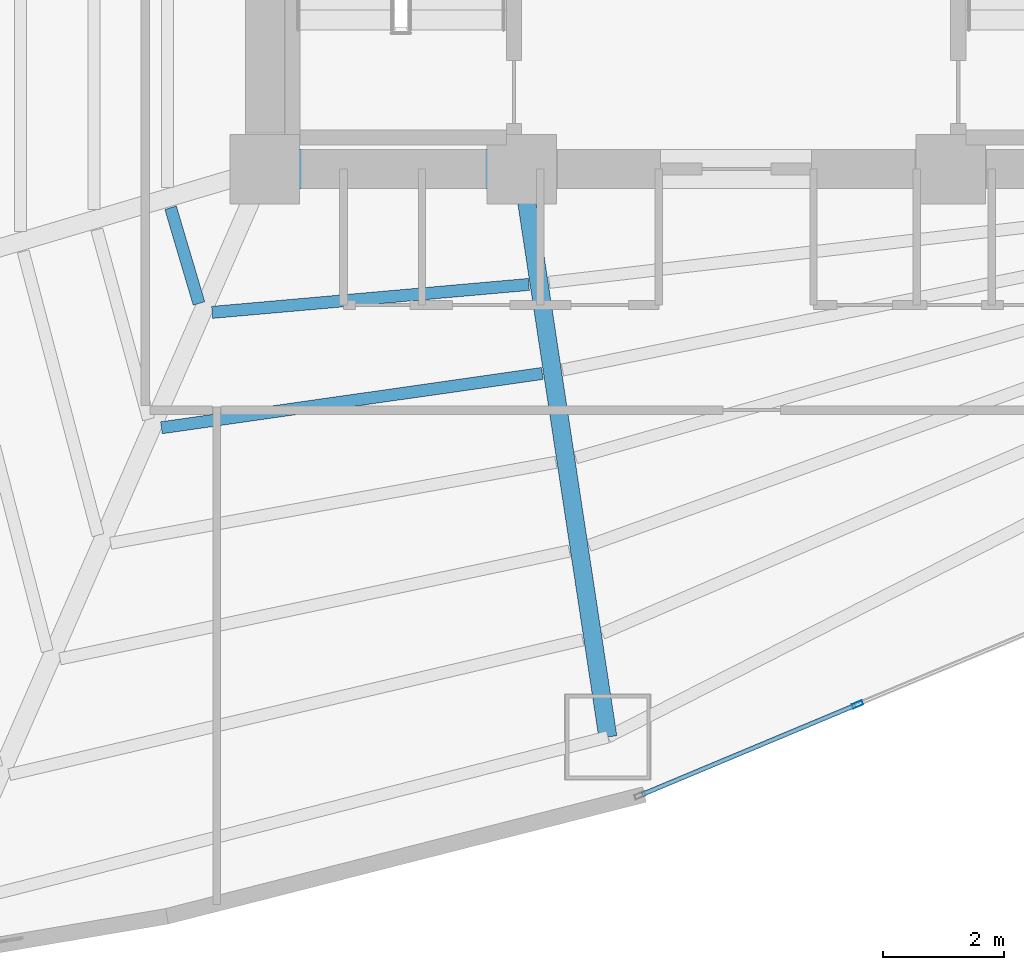
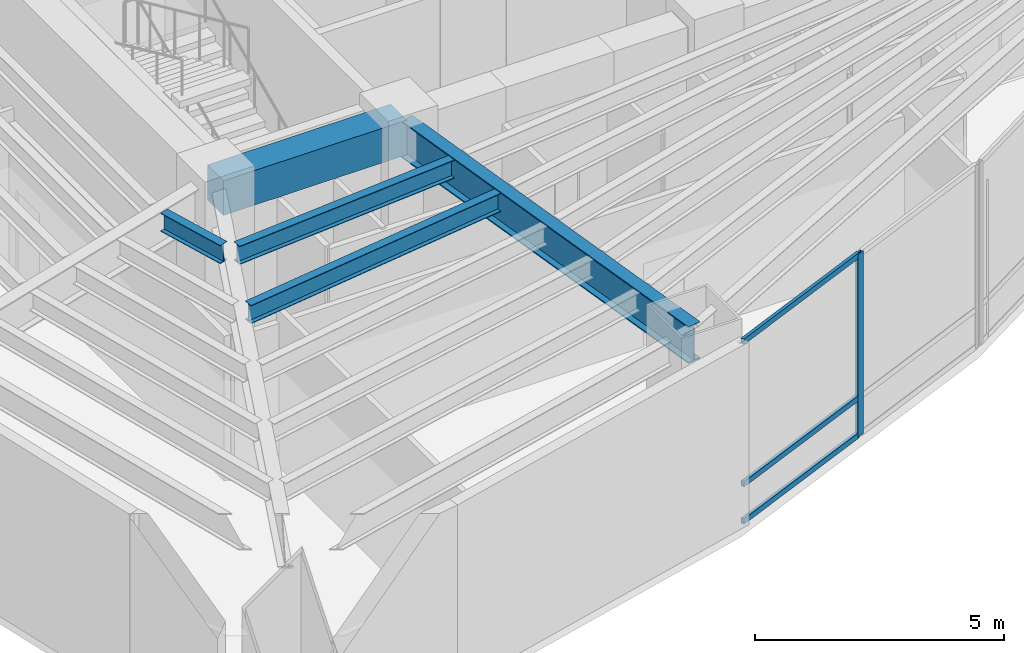
# One storey, part 4 of 18: 5 beams, 4 members, 1 element without a shape of its own.
"""IFC4 building model written with IfcOpenShell, lengths in metres."""

from ifc_helpers import new_model, si_unit, direction, frame, origin, origin_2d, place, context, subcontext, project, spatial, rectangle, hollow_rectangle, i_section, extrude, material, layer, layer_set, material_profile, profile_set, type_object, element, aggregate, save


model = new_model("IFC4")

# Units and contexts
model_context = context("Model", 3, precision=1e-05, world=origin(), true_north=direction((0.0, 1.0)))
body_context = subcontext(model_context, "Body", "Model", "MODEL_VIEW")
ifc_project = project(units=[si_unit("LENGTHUNIT", "METRE"), si_unit("AREAUNIT", "SQUARE_METRE"), si_unit("VOLUMEUNIT", "CUBIC_METRE"), si_unit("PLANEANGLEUNIT", "RADIAN"), si_unit("MASSUNIT", "GRAM", prefix="KILO")], contexts=[model_context])

# Site, building, storey
site_placement = place(None, origin())
site = spatial("IfcSite", under=ifc_project, at=site_placement, CompositionType="ELEMENT")
building_placement = place(site_placement, origin())
building = spatial("IfcBuilding", under=site, at=building_placement, Name="Menara Vayukalpa", CompositionType="ELEMENT")
storey_placement = place(building_placement, frame((0.0, 0.0, 7.199951171875)))
storey = spatial("IfcBuildingStorey", under=building, at=storey_placement, Name="L01", CompositionType="ELEMENT", Elevation=7.199951171875)

# Beams
ifc_material_1 = material(Name="Concrete C60/75", Category="concrete")
ifc_material_profile_1 = material_profile(ifc_material_1, rectangle(XDim=0.64990234375, YDim=0.85009765625, at=origin_2d()), Name="RC 650x850")
ifc_profile_set_1 = profile_set([ifc_material_profile_1], Name="Concrete C60/75")
beam_type_1 = type_object("IfcBeamType", Name="BM-CB1", PredefinedType="BEAM", material=ifc_profile_set_1)
beam_1_placement = place(storey_placement, frame((17.800048828125, 17.199951171875, 4.054931640625), z_axis=(1.0, 0.0, 0.0), x_axis=(0.0, 1.0, 0.0)))
element("IfcBeam", 1, at=beam_1_placement, inside=storey, type_object=beam_type_1, Name="L01 Core Tie Beam CBR1", PredefinedType="BEAM", context=body_context, shape_type="SweptSolid", body=[
    extrude(rectangle(XDim=0.64990234375, YDim=0.85009765625, at=origin_2d()), origin(), (0.0, 0.0, 1.0), 4.25),
])
ifc_material_2 = material(Name="Steel S355", Category="steel")
ifc_material_profile_2 = material_profile(ifc_material_2, i_section(OverallWidth=0.300048828125, OverallDepth=0.89990234375, WebThickness=0.01611328125, FlangeThickness=0.028076171875, at=origin_2d()), Name="WF 900x300x16x28")
ifc_profile_set_2 = profile_set([ifc_material_profile_2], Name="Steel S355")
beam_type_2 = type_object("IfcBeamType", Name="BM-PG1", PredefinedType="BEAM", material=ifc_profile_set_2)
beam_2_placement = place(storey_placement, frame((22.08740234375, 16.952880859375, 4.030029296875), z_axis=(0.149956157605, -0.988692647285, 0.0), x_axis=(0.988692647285, 0.149956157605, 0.0)))
element("IfcBeam", 2, at=beam_2_placement, inside=storey, type_object=beam_type_2, Name="L01 Primary Radial Girder RG08", PredefinedType="BEAM", context=body_context, shape_type="SweptSolid", body=[
    extrude(i_section(OverallWidth=0.300048828125, OverallDepth=0.89990234375, WebThickness=0.01611328125, FlangeThickness=0.028076171875, at=origin_2d()), origin(), (0.0, 0.0, 1.0), 9.25732421875),
])
ifc_material_3 = material(Name="Steel S355", Category="steel")
ifc_material_profile_3 = material_profile(ifc_material_3, i_section(OverallWidth=0.199951171875, OverallDepth=0.449951171875, WebThickness=0.009033203125, FlangeThickness=0.013916015625, at=origin_2d()), Name="WF 450x200x9x14")
ifc_profile_set_3 = profile_set([ifc_material_profile_3], Name="Steel S355")
beam_type_3 = type_object("IfcBeamType", Name="BM-SJ1", PredefinedType="JOIST", material=ifc_profile_set_3)
beam_3_placement = place(storey_placement, frame((16.239013671875, 16.5595703125, 4.255126953125), z_axis=(0.284173863657, -0.958772765161, 0.0), x_axis=(0.958772765161, 0.284173863657, 0.0)))
element("IfcBeam", 3, at=beam_3_placement, inside=storey, type_object=beam_type_3, Name="L01 Secondary Floor Joist SJ06-1", PredefinedType="JOIST", context=body_context, shape_type="SweptSolid", body=[
    extrude(i_section(OverallWidth=0.199951171875, OverallDepth=0.449951171875, WebThickness=0.009033203125, FlangeThickness=0.013916015625, at=origin_2d()), origin(), (0.0, 0.0, 1.0), 1.652099609375),
])
beam_4_placement = place(storey_placement, frame((16.926025390625, 14.82763671875, 4.255126953125), z_axis=(0.996127818773, 0.08791682812, 0.0), x_axis=(-0.08791682812, 0.996127818773, 0.0)))
element("IfcBeam", 4, at=beam_4_placement, inside=storey, type_object=beam_type_3, Name="L01 Secondary Floor Joist SJ07-1", PredefinedType="JOIST", context=body_context, shape_type="SweptSolid", body=[
    extrude(i_section(OverallWidth=0.199951171875, OverallDepth=0.449951171875, WebThickness=0.009033203125, FlangeThickness=0.013916015625, at=origin_2d()), origin(), (0.0, 0.0, 1.0), 5.26220703125),
])
beam_5_placement = place(storey_placement, frame((16.0869140625, 12.918212890625, 4.255126953125), z_axis=(0.989991622628, 0.141126139063, 0.0), x_axis=(-0.141126139063, 0.989991622628, 0.0)))
element("IfcBeam", 5, at=beam_5_placement, inside=storey, type_object=beam_type_3, Name="L01 Secondary Floor Joist SJ07-2", PredefinedType="JOIST", context=body_context, shape_type="SweptSolid", body=[
    extrude(i_section(OverallWidth=0.199951171875, OverallDepth=0.449951171875, WebThickness=0.009033203125, FlangeThickness=0.013916015625, at=origin_2d()), origin(), (0.0, 0.0, 1.0), 6.367919921875),
])

# Curtain wall, members
ifc_material_4 = material(Name="Anodised Terracotta Aluminium Alloy 6063-T6", Category="masonry")
ifc_layer = layer(ifc_material_4, 0.179931640625)
ifc_layer_set = layer_set([ifc_layer], Name="Anodised Terracotta Aluminium Alloy 6063-T6")
curtain_wall_type = type_object("IfcCurtainWallType", Name="CW-CW1", PredefinedType="USERDEFINED", material=ifc_layer_set)
curtain_wall_placement = place(storey_placement, origin())
curtain_wall = element("IfcCurtainWall", 6, at=curtain_wall_placement, inside=storey, type_object=curtain_wall_type, Name="L01 Podium Unitised Ribbon Curtain Wall CW1 16", ObjectType="UNITISED", PredefinedType="USERDEFINED")
ifc_material_5 = material(Name="Anodised Terracotta Aluminium Alloy 6063-T6", Category="masonry")
ifc_material_profile_4 = material_profile(ifc_material_5, hollow_rectangle(XDim=0.074951171875, YDim=0.179931640625, WallThickness=0.00390625, at=origin_2d()), Name="ALU 75x180x4")
ifc_profile_set_4 = profile_set([ifc_material_profile_4], Name="Anodised Terracotta Aluminium Alloy 6063-T6")
member_type_1 = type_object("IfcMemberType", Name="CWM-CW1", PredefinedType="MULLION", material=ifc_profile_set_4)
member_1_placement = place(storey_placement, frame((27.608154296875, 8.33984375, 0.0), z_axis=(0.0, 0.0, 1.0), x_axis=(-0.385890613077, 0.922544543499, 0.0)))
member_1 = element("IfcMember", 7, at=member_1_placement, type_object=member_type_1, Name="CW1 mullion 2", PredefinedType="MULLION", context=body_context, shape_type="SweptSolid", body=[
    extrude(hollow_rectangle(XDim=0.074951171875, YDim=0.179931640625, WallThickness=0.00390625, at=origin_2d()), origin(), (0.0, 0.0, 1.0), 4.47998046875),
])
ifc_material_6 = material(Name="Anodised Terracotta Aluminium Alloy 6063-T6", Category="masonry")
ifc_material_profile_5 = material_profile(ifc_material_6, hollow_rectangle(XDim=0.074951171875, YDim=0.135009765625, WallThickness=0.00390625, at=origin_2d()), Name="ALU 75x135x4")
ifc_profile_set_5 = profile_set([ifc_material_profile_5], Name="Anodised Terracotta Aluminium Alloy 6063-T6")
member_type_2 = type_object("IfcMemberType", Name="CWT-CW1", PredefinedType="USERDEFINED", material=ifc_profile_set_5)
member_2_placement = place(storey_placement, frame((24.0439453125, 6.848876953125, 0.03759765625), z_axis=(0.922549314237, 0.385879207525, 0.0), x_axis=(-0.385879207525, 0.922549314237, 0.0)))
member_2 = element("IfcMember", 8, at=member_2_placement, type_object=member_type_2, Name="CW1 transom 1.1", ObjectType="TRANSOM", PredefinedType="USERDEFINED", context=body_context, shape_type="SweptSolid", body=[
    extrude(hollow_rectangle(XDim=0.074951171875, YDim=0.135009765625, WallThickness=0.00390625, at=origin_2d()), origin(), (0.0, 0.0, 1.0), 3.825927734375),
])
member_3_placement = place(storey_placement, frame((24.0439453125, 6.848876953125, 0.949951171875), z_axis=(0.922549314237, 0.385879207525, 0.0), x_axis=(-0.385879207525, 0.922549314237, 0.0)))
member_3 = element("IfcMember", 9, at=member_3_placement, type_object=member_type_2, Name="CW1 transom 1.2", ObjectType="TRANSOM", PredefinedType="USERDEFINED", context=body_context, shape_type="SweptSolid", body=[
    extrude(hollow_rectangle(XDim=0.074951171875, YDim=0.135009765625, WallThickness=0.00390625, at=origin_2d()), origin(), (0.0, 0.0, 1.0), 3.825927734375),
])
member_4_placement = place(storey_placement, frame((24.0439453125, 6.848876953125, 4.442626953125), z_axis=(0.922549314237, 0.385879207525, 0.0), x_axis=(-0.385879207525, 0.922549314237, 0.0)))
member_4 = element("IfcMember", 10, at=member_4_placement, type_object=member_type_2, Name="CW1 transom 1.3", ObjectType="TRANSOM", PredefinedType="USERDEFINED", context=body_context, shape_type="SweptSolid", body=[
    extrude(hollow_rectangle(XDim=0.074951171875, YDim=0.135009765625, WallThickness=0.00390625, at=origin_2d()), origin(), (0.0, 0.0, 1.0), 3.825927734375),
])
aggregate(curtain_wall, [member_1, member_2, member_3, member_4])

save(model, "model.ifc")
